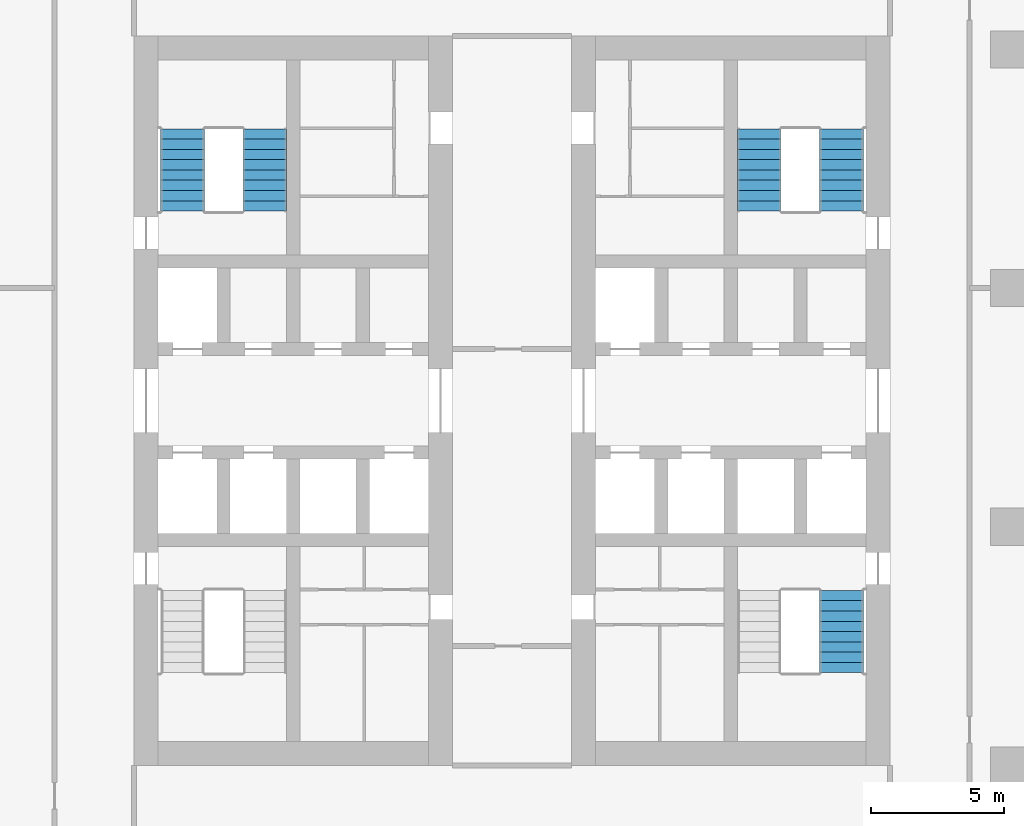
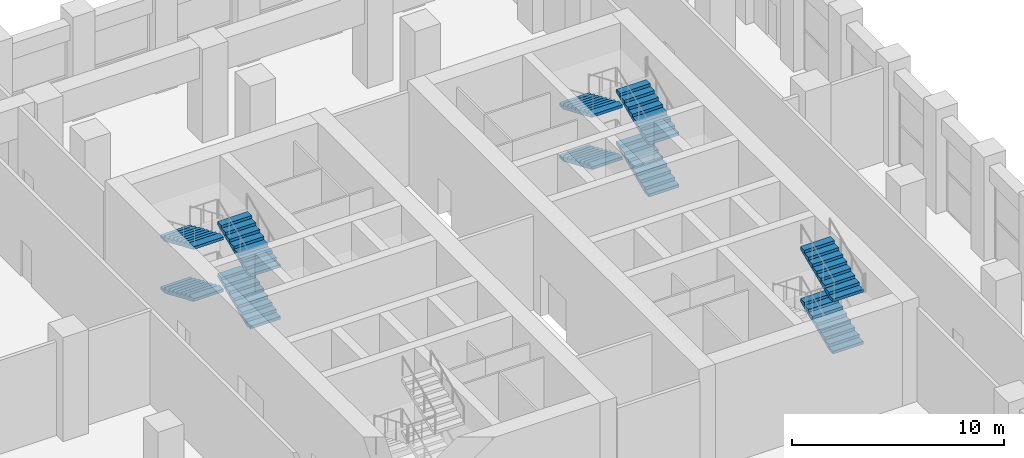
# One storey, part 16 of 24: 10 stair flights, 3 elements without a shape of their own.
"""IFC4 building model written with IfcOpenShell, lengths in metres."""

from ifc_helpers import new_model, si_unit, direction, frame, origin, place, context, subcontext, project, spatial, polyline, outline, extrude, material, type_object, element, aggregate, save


model = new_model("IFC4")

# Units and contexts
model_context = context("Model", 3, precision=1e-05, world=origin(), true_north=direction((0.0, 1.0)))
body_context = subcontext(model_context, "Body", "Model", "MODEL_VIEW")
ifc_project = project(units=[si_unit("LENGTHUNIT", "METRE"), si_unit("AREAUNIT", "SQUARE_METRE"), si_unit("VOLUMEUNIT", "CUBIC_METRE"), si_unit("PLANEANGLEUNIT", "RADIAN"), si_unit("MASSUNIT", "GRAM", prefix="KILO")], contexts=[model_context])

# Site, building, storey
site_placement = place(None, origin())
site = spatial("IfcSite", under=ifc_project, at=site_placement, CompositionType="ELEMENT")
building_placement = place(site_placement, origin())
building = spatial("IfcBuilding", under=site, at=building_placement, Name="Corbel Stack Research Tower", CompositionType="ELEMENT")
storey_placement = place(building_placement, frame((0.0, 0.0, 145.39990234375)))
storey = spatial("IfcBuildingStorey", under=building, at=storey_placement, Name="L33", CompositionType="ELEMENT", Elevation=145.39990234375)

# Stair, stair flights
ifc_material_1 = material(Name="Concrete C40/50", Category="concrete")
stair_type = type_object("IfcStairType", Name="Exit stair 36 risers, 388 going", PredefinedType="HALF_TURN_STAIR", material=ifc_material_1)
stair_1_placement = place(storey_placement, origin())
stair_1 = element("IfcStair", 1, at=stair_1_placement, inside=storey, type_object=stair_type, Name="L33 Exit stair ST-W2", PredefinedType="HALF_TURN_STAIR")
ifc_material_2 = material(Name="Concrete C40/50", Category="concrete")
stair_flight_type = type_object("IfcStairFlightType", Name="Stair flight 9 risers, 388 going", PredefinedType="STRAIGHT", material=ifc_material_2)
stair_flight_1_placement = place(storey_placement, frame((-5.574951171875, 11.89990234375, 0.0), z_axis=(0.0, 0.0, 1.0), x_axis=(0.0, 1.0, 0.0)))
stair_flight_1 = element("IfcStairFlight", 2, at=stair_flight_1_placement, type_object=stair_flight_type, Name="ST-W2 flight 1", NumberOfRisers=9, NumberOfTreads=8, PredefinedType="STRAIGHT", RiserHeight=0.166666667, TreadLength=0.388, context=body_context, shape_type="SweptSolid", body=[
    extrude(outline(polyline([(0.0, 0.0), (0.0, 0.166748046875), (0.387939453125, 0.166748046875), (0.387939453125, 0.333251953125), (0.77587890625, 0.333251953125), (0.77587890625, 0.5), (1.1640625, 0.5), (1.1640625, 0.666748046875), (1.552001953125, 0.666748046875), (1.552001953125, 0.833251953125), (1.93994140625, 0.833251953125), (1.93994140625, 1.0), (2.327880859375, 1.0), (2.327880859375, 1.166748046875), (2.716064453125, 1.166748046875), (2.716064453125, 1.333251953125), (3.10400390625, 1.333251953125), (3.10400390625, 1.5), (3.10400390625, 1.170166015625), (0.3798828125, 0.0), (0.0, 0.0)])), frame((0.0, 0.824951171875, 0.0), z_axis=(0.0, -1.0, 0.0), x_axis=(1.0, 0.0, 0.0)), (0.0, 0.0, 1.0), 1.64990234375),
])
stair_flight_2_placement = place(storey_placement, frame((-8.675048828125, 15.00390625, 1.5), z_axis=(0.0, 0.0, 1.0), x_axis=(0.0, -1.0, 0.0)))
stair_flight_2 = element("IfcStairFlight", 3, at=stair_flight_2_placement, type_object=stair_flight_type, Name="ST-W2 flight 2", NumberOfRisers=9, NumberOfTreads=8, PredefinedType="STRAIGHT", RiserHeight=0.166666667, TreadLength=0.388, context=body_context, shape_type="SweptSolid", body=[
    extrude(outline(polyline([(0.0, 0.0), (0.0, 0.166748046875), (0.387939453125, 0.166748046875), (0.387939453125, 0.333251953125), (0.77587890625, 0.333251953125), (0.77587890625, 0.5), (1.1640625, 0.5), (1.1640625, 0.666748046875), (1.552001953125, 0.666748046875), (1.552001953125, 0.833251953125), (1.93994140625, 0.833251953125), (1.93994140625, 1.0), (2.327880859375, 1.0), (2.327880859375, 1.166748046875), (2.716064453125, 1.166748046875), (2.716064453125, 1.333251953125), (3.10400390625, 1.333251953125), (3.10400390625, 1.5), (3.10400390625, 1.170166015625), (0.3798828125, 0.0), (0.0, 0.0)])), frame((0.0, 0.824951171875, 0.0), z_axis=(0.0, -1.0, 0.0), x_axis=(1.0, 0.0, 0.0)), (0.0, 0.0, 1.0), 1.64990234375),
])
stair_flight_3_placement = place(storey_placement, frame((-5.574951171875, 11.89990234375, 3.0), z_axis=(0.0, 0.0, 1.0), x_axis=(0.0, 1.0, 0.0)))
stair_flight_3 = element("IfcStairFlight", 4, at=stair_flight_3_placement, type_object=stair_flight_type, Name="ST-W2 flight 3", NumberOfRisers=9, NumberOfTreads=8, PredefinedType="STRAIGHT", RiserHeight=0.166666667, TreadLength=0.388, context=body_context, shape_type="SweptSolid", body=[
    extrude(outline(polyline([(0.0, 0.0), (0.0, 0.166748046875), (0.387939453125, 0.166748046875), (0.387939453125, 0.333251953125), (0.77587890625, 0.333251953125), (0.77587890625, 0.5), (1.1640625, 0.5), (1.1640625, 0.666748046875), (1.552001953125, 0.666748046875), (1.552001953125, 0.833251953125), (1.93994140625, 0.833251953125), (1.93994140625, 1.0), (2.327880859375, 1.0), (2.327880859375, 1.166748046875), (2.716064453125, 1.166748046875), (2.716064453125, 1.333251953125), (3.10400390625, 1.333251953125), (3.10400390625, 1.5), (3.10400390625, 1.170166015625), (0.3798828125, 0.0), (0.0, 0.0)])), frame((0.0, 0.824951171875, 0.0), z_axis=(0.0, -1.0, 0.0), x_axis=(1.0, 0.0, 0.0)), (0.0, 0.0, 1.0), 1.64990234375),
])
stair_flight_4_placement = place(storey_placement, frame((-8.675048828125, 15.00390625, 4.5), z_axis=(0.0, 0.0, 1.0), x_axis=(0.0, -1.0, 0.0)))
stair_flight_4 = element("IfcStairFlight", 5, at=stair_flight_4_placement, type_object=stair_flight_type, Name="ST-W2 flight 4", NumberOfRisers=9, NumberOfTreads=8, PredefinedType="STRAIGHT", RiserHeight=0.166666667, TreadLength=0.388, context=body_context, shape_type="SweptSolid", body=[
    extrude(outline(polyline([(0.0, 0.0), (0.0, 0.166748046875), (0.387939453125, 0.166748046875), (0.387939453125, 0.333251953125), (0.77587890625, 0.333251953125), (0.77587890625, 0.5), (1.1640625, 0.5), (1.1640625, 0.666748046875), (1.552001953125, 0.666748046875), (1.552001953125, 0.833251953125), (1.93994140625, 0.833251953125), (1.93994140625, 1.0), (2.327880859375, 1.0), (2.327880859375, 1.166748046875), (2.716064453125, 1.166748046875), (2.716064453125, 1.333251953125), (3.10400390625, 1.333251953125), (3.10400390625, 1.5), (3.10400390625, 1.170166015625), (0.3798828125, 0.0), (0.0, 0.0)])), frame((0.0, 0.824951171875, 0.0), z_axis=(0.0, -1.0, 0.0), x_axis=(1.0, 0.0, 0.0)), (0.0, 0.0, 1.0), 1.64990234375),
])
aggregate(stair_1, [stair_flight_1, stair_flight_2, stair_flight_3, stair_flight_4])

stair_2_placement = place(storey_placement, origin())
stair_2 = element("IfcStair", 6, at=stair_2_placement, inside=storey, type_object=stair_type, Name="L33 Exit stair ST-E1", PredefinedType="HALF_TURN_STAIR")
stair_flight_5_placement = place(storey_placement, frame((16.175048828125, -5.50390625, 1.5), z_axis=(0.0, 0.0, 1.0), x_axis=(0.0, 1.0, 0.0)))
stair_flight_5 = element("IfcStairFlight", 7, at=stair_flight_5_placement, type_object=stair_flight_type, Name="ST-E1 flight 2", NumberOfRisers=9, NumberOfTreads=8, PredefinedType="STRAIGHT", RiserHeight=0.166666667, TreadLength=0.388, context=body_context, shape_type="SweptSolid", body=[
    extrude(outline(polyline([(0.0, 0.0), (0.0, 0.166748046875), (0.387939453125, 0.166748046875), (0.387939453125, 0.333251953125), (0.77587890625, 0.333251953125), (0.77587890625, 0.5), (1.1640625, 0.5), (1.1640625, 0.666748046875), (1.552001953125, 0.666748046875), (1.552001953125, 0.833251953125), (1.93994140625, 0.833251953125), (1.93994140625, 1.0), (2.327880859375, 1.0), (2.327880859375, 1.166748046875), (2.716064453125, 1.166748046875), (2.716064453125, 1.333251953125), (3.10400390625, 1.333251953125), (3.10400390625, 1.5), (3.10400390625, 1.170166015625), (0.3798828125, 0.0), (0.0, 0.0)])), frame((0.0, 0.824951171875, 0.0), z_axis=(0.0, -1.0, 0.0), x_axis=(1.0, 0.0, 0.0)), (0.0, 0.0, 1.0), 1.64990234375),
])
stair_flight_6_placement = place(storey_placement, frame((16.175048828125, -5.50390625, 4.5), z_axis=(0.0, 0.0, 1.0), x_axis=(0.0, 1.0, 0.0)))
stair_flight_6 = element("IfcStairFlight", 8, at=stair_flight_6_placement, type_object=stair_flight_type, Name="ST-E1 flight 4", NumberOfRisers=9, NumberOfTreads=8, PredefinedType="STRAIGHT", RiserHeight=0.166666667, TreadLength=0.388, context=body_context, shape_type="SweptSolid", body=[
    extrude(outline(polyline([(0.0, 0.0), (0.0, 0.166748046875), (0.387939453125, 0.166748046875), (0.387939453125, 0.333251953125), (0.77587890625, 0.333251953125), (0.77587890625, 0.5), (1.1640625, 0.5), (1.1640625, 0.666748046875), (1.552001953125, 0.666748046875), (1.552001953125, 0.833251953125), (1.93994140625, 0.833251953125), (1.93994140625, 1.0), (2.327880859375, 1.0), (2.327880859375, 1.166748046875), (2.716064453125, 1.166748046875), (2.716064453125, 1.333251953125), (3.10400390625, 1.333251953125), (3.10400390625, 1.5), (3.10400390625, 1.170166015625), (0.3798828125, 0.0), (0.0, 0.0)])), frame((0.0, 0.824951171875, 0.0), z_axis=(0.0, -1.0, 0.0), x_axis=(1.0, 0.0, 0.0)), (0.0, 0.0, 1.0), 1.64990234375),
])
aggregate(stair_2, [stair_flight_5, stair_flight_6])

stair_3_placement = place(storey_placement, origin())
stair_3 = element("IfcStair", 9, at=stair_3_placement, inside=storey, type_object=stair_type, Name="L33 Exit stair ST-E2", PredefinedType="HALF_TURN_STAIR")
stair_flight_7_placement = place(storey_placement, frame((16.175048828125, 11.89990234375, 0.0), z_axis=(0.0, 0.0, 1.0), x_axis=(0.0, 1.0, 0.0)))
stair_flight_7 = element("IfcStairFlight", 10, at=stair_flight_7_placement, type_object=stair_flight_type, Name="ST-E2 flight 1", NumberOfRisers=9, NumberOfTreads=8, PredefinedType="STRAIGHT", RiserHeight=0.166666667, TreadLength=0.388, context=body_context, shape_type="SweptSolid", body=[
    extrude(outline(polyline([(0.0, 0.0), (0.0, 0.166748046875), (0.387939453125, 0.166748046875), (0.387939453125, 0.333251953125), (0.77587890625, 0.333251953125), (0.77587890625, 0.5), (1.1640625, 0.5), (1.1640625, 0.666748046875), (1.552001953125, 0.666748046875), (1.552001953125, 0.833251953125), (1.93994140625, 0.833251953125), (1.93994140625, 1.0), (2.327880859375, 1.0), (2.327880859375, 1.166748046875), (2.716064453125, 1.166748046875), (2.716064453125, 1.333251953125), (3.10400390625, 1.333251953125), (3.10400390625, 1.5), (3.10400390625, 1.170166015625), (0.3798828125, 0.0), (0.0, 0.0)])), frame((0.0, 0.824951171875, 0.0), z_axis=(0.0, -1.0, 0.0), x_axis=(1.0, 0.0, 0.0)), (0.0, 0.0, 1.0), 1.64990234375),
])
stair_flight_8_placement = place(storey_placement, frame((13.074951171875, 15.00390625, 1.5), z_axis=(0.0, 0.0, 1.0), x_axis=(0.0, -1.0, 0.0)))
stair_flight_8 = element("IfcStairFlight", 11, at=stair_flight_8_placement, type_object=stair_flight_type, Name="ST-E2 flight 2", NumberOfRisers=9, NumberOfTreads=8, PredefinedType="STRAIGHT", RiserHeight=0.166666667, TreadLength=0.388, context=body_context, shape_type="SweptSolid", body=[
    extrude(outline(polyline([(0.0, 0.0), (0.0, 0.166748046875), (0.387939453125, 0.166748046875), (0.387939453125, 0.333251953125), (0.77587890625, 0.333251953125), (0.77587890625, 0.5), (1.1640625, 0.5), (1.1640625, 0.666748046875), (1.552001953125, 0.666748046875), (1.552001953125, 0.833251953125), (1.93994140625, 0.833251953125), (1.93994140625, 1.0), (2.327880859375, 1.0), (2.327880859375, 1.166748046875), (2.716064453125, 1.166748046875), (2.716064453125, 1.333251953125), (3.10400390625, 1.333251953125), (3.10400390625, 1.5), (3.10400390625, 1.170166015625), (0.3798828125, 0.0), (0.0, 0.0)])), frame((0.0, 0.824951171875, 0.0), z_axis=(0.0, -1.0, 0.0), x_axis=(1.0, 0.0, 0.0)), (0.0, 0.0, 1.0), 1.64990234375),
])
stair_flight_9_placement = place(storey_placement, frame((16.175048828125, 11.89990234375, 3.0), z_axis=(0.0, 0.0, 1.0), x_axis=(0.0, 1.0, 0.0)))
stair_flight_9 = element("IfcStairFlight", 12, at=stair_flight_9_placement, type_object=stair_flight_type, Name="ST-E2 flight 3", NumberOfRisers=9, NumberOfTreads=8, PredefinedType="STRAIGHT", RiserHeight=0.166666667, TreadLength=0.388, context=body_context, shape_type="SweptSolid", body=[
    extrude(outline(polyline([(0.0, 0.0), (0.0, 0.166748046875), (0.387939453125, 0.166748046875), (0.387939453125, 0.333251953125), (0.77587890625, 0.333251953125), (0.77587890625, 0.5), (1.1640625, 0.5), (1.1640625, 0.666748046875), (1.552001953125, 0.666748046875), (1.552001953125, 0.833251953125), (1.93994140625, 0.833251953125), (1.93994140625, 1.0), (2.327880859375, 1.0), (2.327880859375, 1.166748046875), (2.716064453125, 1.166748046875), (2.716064453125, 1.333251953125), (3.10400390625, 1.333251953125), (3.10400390625, 1.5), (3.10400390625, 1.170166015625), (0.3798828125, 0.0), (0.0, 0.0)])), frame((0.0, 0.824951171875, 0.0), z_axis=(0.0, -1.0, 0.0), x_axis=(1.0, 0.0, 0.0)), (0.0, 0.0, 1.0), 1.64990234375),
])
stair_flight_10_placement = place(storey_placement, frame((13.074951171875, 15.00390625, 4.5), z_axis=(0.0, 0.0, 1.0), x_axis=(0.0, -1.0, 0.0)))
stair_flight_10 = element("IfcStairFlight", 13, at=stair_flight_10_placement, type_object=stair_flight_type, Name="ST-E2 flight 4", NumberOfRisers=9, NumberOfTreads=8, PredefinedType="STRAIGHT", RiserHeight=0.166666667, TreadLength=0.388, context=body_context, shape_type="SweptSolid", body=[
    extrude(outline(polyline([(0.0, 0.0), (0.0, 0.166748046875), (0.387939453125, 0.166748046875), (0.387939453125, 0.333251953125), (0.77587890625, 0.333251953125), (0.77587890625, 0.5), (1.1640625, 0.5), (1.1640625, 0.666748046875), (1.552001953125, 0.666748046875), (1.552001953125, 0.833251953125), (1.93994140625, 0.833251953125), (1.93994140625, 1.0), (2.327880859375, 1.0), (2.327880859375, 1.166748046875), (2.716064453125, 1.166748046875), (2.716064453125, 1.333251953125), (3.10400390625, 1.333251953125), (3.10400390625, 1.5), (3.10400390625, 1.170166015625), (0.3798828125, 0.0), (0.0, 0.0)])), frame((0.0, 0.824951171875, 0.0), z_axis=(0.0, -1.0, 0.0), x_axis=(1.0, 0.0, 0.0)), (0.0, 0.0, 1.0), 1.64990234375),
])
aggregate(stair_3, [stair_flight_7, stair_flight_8, stair_flight_9, stair_flight_10])

save(model, "model.ifc")
